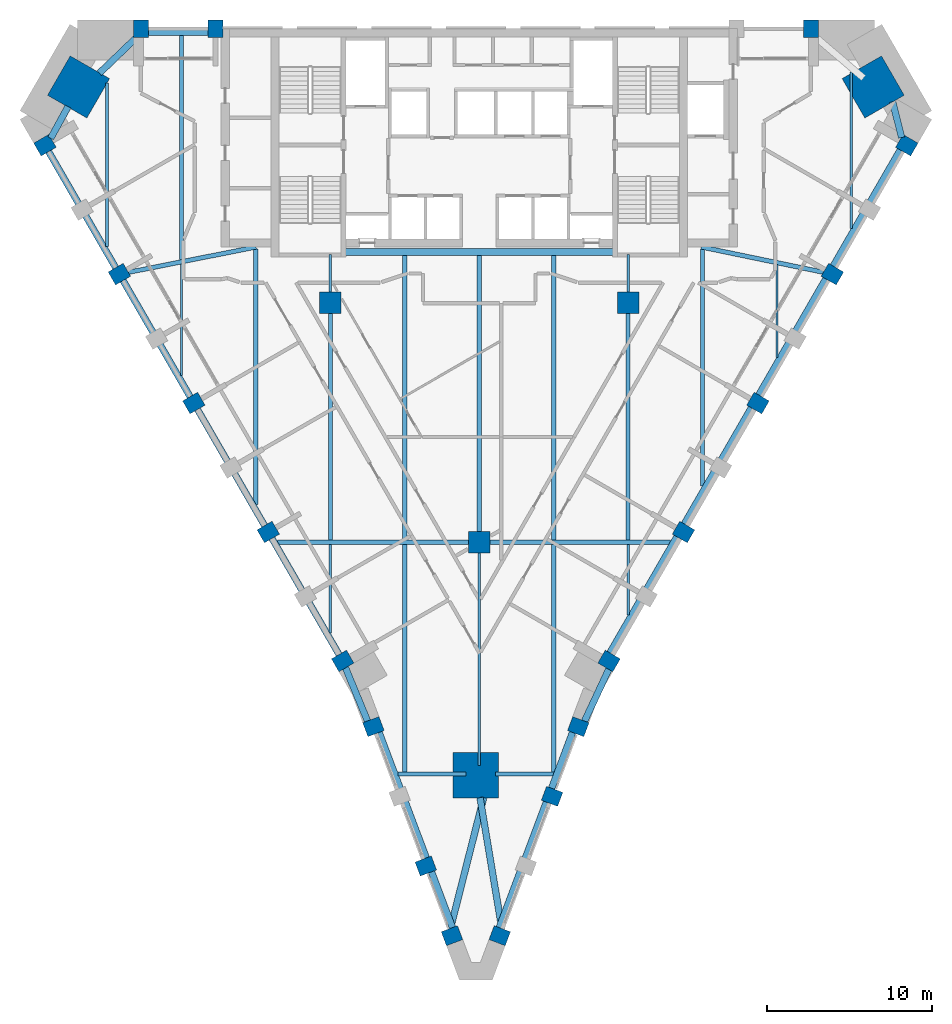
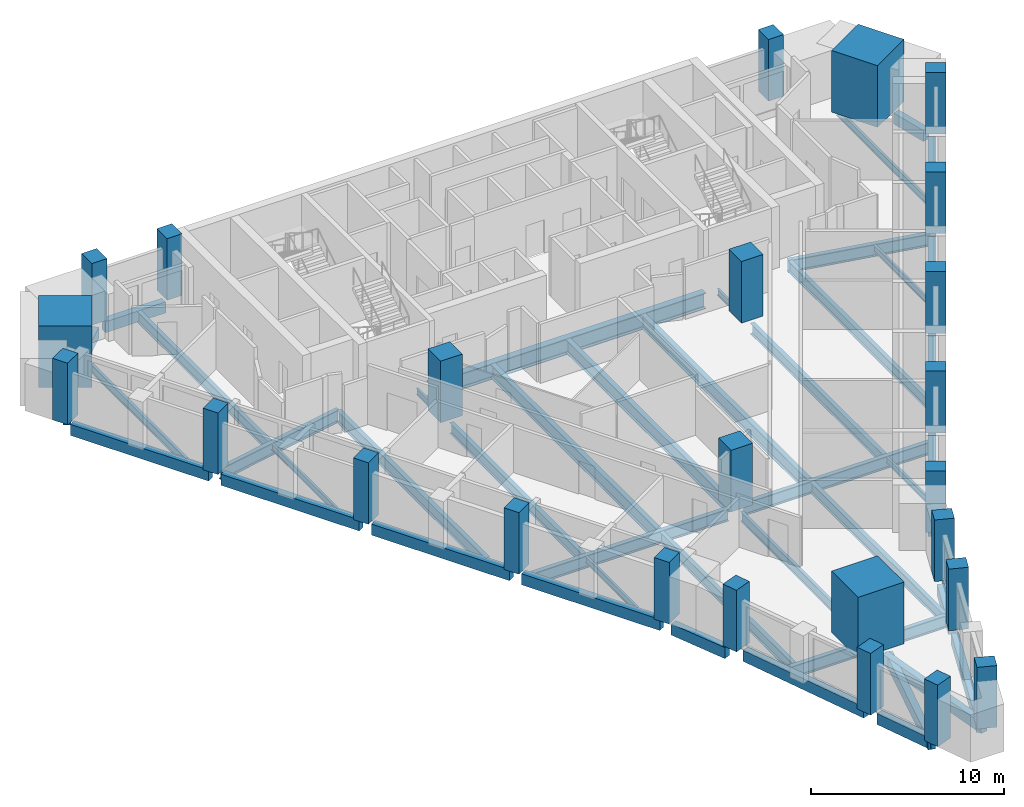
# One storey, part 1 of 10: 46 beams, 25 columns.
"""IFC4 building model written with IfcOpenShell, lengths in metres."""

from ifc_helpers import new_model, si_unit, direction, frame, origin, origin_2d, place, context, subcontext, project, spatial, rectangle, i_section, extrude, material, material_profile, profile_set, type_object, element, save


model = new_model("IFC4")

# Units and contexts
model_context = context("Model", 3, precision=1e-05, world=origin(), true_north=direction((0.0, 1.0)))
body_context = subcontext(model_context, "Body", "Model", "MODEL_VIEW")
ifc_project = project(units=[si_unit("LENGTHUNIT", "METRE"), si_unit("AREAUNIT", "SQUARE_METRE"), si_unit("VOLUMEUNIT", "CUBIC_METRE"), si_unit("PLANEANGLEUNIT", "RADIAN"), si_unit("MASSUNIT", "GRAM", prefix="KILO")], contexts=[model_context])

# Site, building, storey
site_placement = place(None, origin())
site = spatial("IfcSite", under=ifc_project, at=site_placement, CompositionType="ELEMENT")
building_placement = place(site_placement, origin())
building = spatial("IfcBuilding", under=site, at=building_placement, Name="Calabash Gate Tower", CompositionType="ELEMENT")
storey_placement = place(building_placement, frame((0.0, 0.0, 148.5)))
storey = spatial("IfcBuildingStorey", under=building, at=storey_placement, Name="L34", CompositionType="ELEMENT", Elevation=148.5)

# Columns
ifc_material_1 = material(Name="Concrete C70/85", Category="concrete")
ifc_material_profile_1 = material_profile(ifc_material_1, rectangle(XDim=1.300048828125, YDim=1.300048828125, at=origin_2d()))
ifc_profile_set_1 = profile_set([ifc_material_profile_1], Name="Concrete C70/85")
column_type_1 = type_object("IfcColumnType", Name="Interior column RC 1300x1300 Concrete C70/85", PredefinedType="COLUMN", material=ifc_profile_set_1)
for number, where, z_axis, x_axis, name in (
    (1, (-9.0, 2.5, 0.0), (0.0, 0.0, 1.0), (1.0, 0.0, 0.0), "Interior column L34 I0"),
    (2, (9.0, 2.5, 0.0), (0.0, 0.0, 1.0), (1.0, 0.0, 0.0), "Interior column L34 I1"),
    (3, (0.0, -12.0, 0.0), (0.0, 0.0, 1.0), (1.0, 0.0, 0.0), "Interior column L34 I2"),
):
    element("IfcColumn", number, at=place(storey_placement, frame(where, z_axis=z_axis, x_axis=x_axis)), inside=storey, type_object=column_type_1, Name=name, PredefinedType="COLUMN", context=body_context, shape_type="SweptSolid", body=[
        extrude(rectangle(XDim=1.300048828125, YDim=1.300048828125, at=origin_2d()), origin(), (0.0, 0.0, 1.0), 3.89990234375),
    ])
ifc_material_2 = material(Name="Concrete C70/85", Category="concrete")
ifc_material_profile_2 = material_profile(ifc_material_2, rectangle(XDim=2.75, YDim=2.75, at=origin_2d()))
ifc_profile_set_2 = profile_set([ifc_material_profile_2], Name="Concrete C70/85")
column_type_2 = type_object("IfcColumnType", Name="Mega column RC 2750x2750 Concrete C70/85", PredefinedType="COLUMN", material=ifc_profile_set_2)
for number, where, z_axis, x_axis, name in (
    (4, (-24.221923828125, 15.531005859375, 0.0), (0.0, 0.0, 1.0), (0.866025386331, -0.50000003023, 0.0), "Mega column L34 NW"),
    (5, (23.81201171875, 15.531005859375, 0.0), (0.0, 0.0, 1.0), (-0.866025386331, -0.50000003023, 0.0), "Mega column L34 NE"),
    (6, (-0.202880859375, -26.068115234375, 0.0), (0.0, 0.0, 1.0), (0.0, 1.0, 0.0), "Mega column L34 S"),
):
    element("IfcColumn", number, at=place(storey_placement, frame(where, z_axis=z_axis, x_axis=x_axis)), inside=storey, type_object=column_type_2, Name=name, PredefinedType="COLUMN", context=body_context, shape_type="SweptSolid", body=[
        extrude(rectangle(XDim=2.75, YDim=2.75, at=origin_2d()), origin(), (0.0, 0.0, 1.0), 3.89990234375),
    ])
ifc_material_3 = material(Name="Concrete C60/75", Category="concrete")
ifc_material_profile_3 = material_profile(ifc_material_3, rectangle(XDim=0.89990234375, YDim=1.050048828125, at=origin_2d()))
ifc_profile_set_3 = profile_set([ifc_material_profile_3], Name="Concrete C60/75")
column_type_3 = type_object("IfcColumnType", Name="Perimeter column RC 900x1050 Concrete C60/75", PredefinedType="COLUMN", material=ifc_profile_set_3)
for number, where, z_axis, x_axis, name in (
    (7, (-26.2529296875, 12.010009765625, 0.0), (0.0, 0.0, 1.0), (0.499999984885, -0.866025412511, 0.0), "Perimeter column L34 P20"),
    (8, (-21.7529296875, 4.216064453125, 0.0), (0.0, 0.0, 1.0), (0.499999984885, -0.866025412511, 0.0), "Perimeter column L34 P00"),
    (9, (-17.2529296875, -3.577880859375, 0.0), (0.0, 0.0, 1.0), (0.499999984885, -0.866025412511, 0.0), "Perimeter column L34 P01"),
    (10, (-12.7529296875, -11.373046875, 0.0), (0.0, 0.0, 1.0), (0.499999984885, -0.866025412511, 0.0), "Perimeter column L34 P02"),
    (11, (-8.2529296875, -19.1669921875, 0.0), (0.0, 0.0, 1.0), (0.499999984885, -0.866025412511, 0.0), "Perimeter column L34 P03"),
    (12, (-6.39599609375, -23.136962890625, 0.0), (0.0, 0.0, 1.0), (0.351822468316, -0.936066744836, 0.0), "Perimeter column L34 P25"),
    (13, (-3.22998046875, -31.56201171875, 0.0), (0.0, 0.0, 1.0), (0.351822468316, -0.936066744836, 0.0), "Perimeter column L34 P26"),
    (14, (-1.64697265625, -35.77392578125, 0.0), (0.0, 0.0, 1.0), (0.351822468316, -0.936066744836, 0.0), "Perimeter column L34 P27"),
    (15, (1.237060546875, -35.77392578125, 0.0), (0.0, 0.0, 1.0), (0.351822517328, 0.936066726415, 0.0), "Perimeter column L34 P28"),
    (16, (4.404052734375, -27.34912109375, 0.0), (0.0, 0.0, 1.0), (0.351822517328, 0.936066726415, 0.0), "Perimeter column L34 P08"),
    (17, (5.987060546875, -23.136962890625, 0.0), (0.0, 0.0, 1.0), (0.351822517328, 0.936066726415, 0.0), "Perimeter column L34 P29"),
    (18, (7.845947265625, -19.1669921875, 0.0), (0.0, 0.0, 1.0), (0.499999984885, 0.866025412511, 0.0), "Perimeter column L34 P09"),
    (19, (12.345947265625, -11.373046875, 0.0), (0.0, 0.0, 1.0), (0.499999984885, 0.866025412511, 0.0), "Perimeter column L34 P10"),
    (20, (16.845947265625, -3.577880859375, 0.0), (0.0, 0.0, 1.0), (0.499999984885, 0.866025412511, 0.0), "Perimeter column L34 P11"),
    (21, (21.345947265625, 4.216064453125, 0.0), (0.0, 0.0, 1.0), (0.499999984885, 0.866025412511, 0.0), "Perimeter column L34 P12"),
    (22, (25.845947265625, 12.010009765625, 0.0), (0.0, 0.0, 1.0), (0.499999984885, 0.866025412511, 0.0), "Perimeter column L34 P13"),
    (23, (20.047119140625, 19.052978515625, 0.0), (0.0, 0.0, 1.0), (-1.0, 0.0, 0.0), "Perimeter column L34 P24"),
    (24, (-15.952880859375, 19.052978515625, 0.0), (0.0, 0.0, 1.0), (-1.0, 0.0, 0.0), "Perimeter column L34 P30"),
    (25, (-20.452880859375, 19.052978515625, 0.0), (0.0, 0.0, 1.0), (-1.0, 0.0, 0.0), "Perimeter column L34 P17"),
):
    element("IfcColumn", number, at=place(storey_placement, frame(where, z_axis=z_axis, x_axis=x_axis)), inside=storey, type_object=column_type_3, Name=name, PredefinedType="COLUMN", context=body_context, shape_type="SweptSolid", body=[
        extrude(rectangle(XDim=0.89990234375, YDim=1.050048828125, at=origin_2d()), origin(), (0.0, 0.0, 1.0), 3.89990234375),
    ])

# Beams
ifc_material_4 = material(Name="Concrete C50/60", Category="concrete")
ifc_material_profile_4 = material_profile(ifc_material_4, rectangle(XDim=0.39990234375, YDim=0.699951171875, at=origin_2d()))
ifc_profile_set_4 = profile_set([ifc_material_profile_4], Name="Concrete C50/60")
beam_type_1 = type_object("IfcBeamType", Name="Edge beam RC 400x700 Concrete C50/60", PredefinedType="BEAM", material=ifc_profile_set_4)
beam_1_placement = place(storey_placement, frame((-17.0390625, -3.951904296875, -0.52001953125), z_axis=(0.500047870268, -0.865997764108, 0.0), x_axis=(0.865997764108, 0.500047870268, 0.0)))
element("IfcBeam", 26, at=beam_1_placement, inside=storey, type_object=beam_type_1, Name="Edge beam L34 1", PredefinedType="BEAM", context=body_context, shape_type="SweptSolid", body=[
    extrude(rectangle(XDim=0.39990234375, YDim=0.699951171875, at=origin_2d()), origin(), (0.0, 0.0, 1.0), 8.269287109375),
])
beam_2_placement = place(storey_placement, frame((-12.5390625, -11.74609375, -0.52001953125), z_axis=(0.499958388054, -0.86604942712, 0.0), x_axis=(0.86604942712, 0.499958388054, 0.0)))
element("IfcBeam", 27, at=beam_2_placement, inside=storey, type_object=beam_type_1, Name="Edge beam L34 2", PredefinedType="BEAM", context=body_context, shape_type="SweptSolid", body=[
    extrude(rectangle(XDim=0.39990234375, YDim=0.699951171875, at=origin_2d()), origin(), (0.0, 0.0, 1.0), 8.270751953125),
])
beam_3_placement = place(storey_placement, frame((-8.0869140625, -19.570068359375, -0.52001953125), z_axis=(0.381950141161, -0.924182930846, 0.0), x_axis=(0.924182930846, 0.381950141161, 0.0)))
element("IfcBeam", 28, at=beam_3_placement, inside=storey, type_object=beam_type_1, Name="Edge beam L34 3", PredefinedType="BEAM", context=body_context, shape_type="SweptSolid", body=[
    extrude(rectangle(XDim=0.39990234375, YDim=0.699951171875, at=origin_2d()), origin(), (0.0, 0.0, 1.0), 3.5078125),
])
beam_4_placement = place(storey_placement, frame((-6.051025390625, -23.488037109375, -0.52001953125), z_axis=(0.351863225674, -0.936051425093, 0.0), x_axis=(0.936051425093, 0.351863225674, 0.0)))
element("IfcBeam", 29, at=beam_4_placement, inside=storey, type_object=beam_type_1, Name="Edge beam L34 4", PredefinedType="BEAM", context=body_context, shape_type="SweptSolid", body=[
    extrude(rectangle(XDim=0.39990234375, YDim=0.699951171875, at=origin_2d()), origin(), (0.0, 0.0, 1.0), 8.10009765625),
])
beam_5_placement = place(storey_placement, frame((-2.884033203125, -31.9130859375, -0.52001953125), z_axis=(0.351799855959, -0.936075243422, 0.0), x_axis=(0.936075243422, 0.351799855959, 0.0)))
element("IfcBeam", 30, at=beam_5_placement, inside=storey, type_object=beam_type_1, Name="Edge beam L34 5", PredefinedType="BEAM", context=body_context, shape_type="SweptSolid", body=[
    extrude(rectangle(XDim=0.39990234375, YDim=0.699951171875, at=origin_2d()), origin(), (0.0, 0.0, 1.0), 3.598876953125),
])
beam_6_placement = place(storey_placement, frame((-1.743896484375, -35.34912109375, -0.52001953125), z_axis=(0.24595570579, 0.969281069035, 0.0), x_axis=(-0.969281069035, 0.24595570579, 0.0)))
element("IfcBeam", 31, at=beam_6_placement, inside=storey, type_object=beam_type_1, Name="Edge beam L34 6", PredefinedType="BEAM", context=body_context, shape_type="SweptSolid", body=[
    extrude(rectangle(XDim=0.39990234375, YDim=0.699951171875, at=origin_2d()), origin(), (0.0, 0.0, 1.0), 8.17626953125),
])
beam_7_placement = place(storey_placement, frame((0.048095703125, -27.427978515625, -0.52001953125), z_axis=(0.164438353373, -0.986387362013, 0.0), x_axis=(0.986387362013, 0.164438353373, 0.0)))
element("IfcBeam", 32, at=beam_7_placement, inside=storey, type_object=beam_type_1, Name="Edge beam L34 7", PredefinedType="BEAM", context=body_context, shape_type="SweptSolid", body=[
    extrude(rectangle(XDim=0.39990234375, YDim=0.699951171875, at=origin_2d()), origin(), (0.0, 0.0, 1.0), 8.045654296875),
])
beam_8_placement = place(storey_placement, frame((1.2080078125, -35.281982421875, -0.52001953125), z_axis=(0.351863225674, 0.936051425093, 0.0), x_axis=(-0.936051425093, 0.351863225674, 0.0)))
element("IfcBeam", 33, at=beam_8_placement, inside=storey, type_object=beam_type_1, Name="Edge beam L34 8", PredefinedType="BEAM", context=body_context, shape_type="SweptSolid", body=[
    extrude(rectangle(XDim=0.39990234375, YDim=0.699951171875, at=origin_2d()), origin(), (0.0, 0.0, 1.0), 8.10009765625),
])
beam_9_placement = place(storey_placement, frame((4.376953125, -26.85791015625, -0.52001953125), z_axis=(0.351234944025, 0.936287356582, 0.0), x_axis=(-0.936287356582, 0.351234944025, 0.0)))
element("IfcBeam", 34, at=beam_9_placement, inside=storey, type_object=beam_type_1, Name="Edge beam L34 9", PredefinedType="BEAM", context=body_context, shape_type="SweptSolid", body=[
    extrude(rectangle(XDim=0.39990234375, YDim=0.699951171875, at=origin_2d()), origin(), (0.0, 0.0, 1.0), 3.59912109375),
])
beam_10_placement = place(storey_placement, frame((6.361083984375, -22.81005859375, -0.52001953125), z_axis=(0.423673949239, 0.905814762927, 0.0), x_axis=(-0.905814762927, 0.423673949239, 0.0)))
element("IfcBeam", 35, at=beam_10_placement, inside=storey, type_object=beam_type_1, Name="Edge beam L34 10", PredefinedType="BEAM", context=body_context, shape_type="SweptSolid", body=[
    extrude(rectangle(XDim=0.39990234375, YDim=0.699951171875, at=origin_2d()), origin(), (0.0, 0.0, 1.0), 3.47412109375),
])
beam_11_placement = place(storey_placement, frame((7.89697265625, -18.677001953125, -0.52001953125), z_axis=(0.499999880539, 0.866025472755, 0.0), x_axis=(-0.866025472755, 0.499999880539, 0.0)))
element("IfcBeam", 36, at=beam_11_placement, inside=storey, type_object=beam_type_1, Name="Edge beam L34 11", PredefinedType="BEAM", context=body_context, shape_type="SweptSolid", body=[
    extrude(rectangle(XDim=0.39990234375, YDim=0.699951171875, at=origin_2d()), origin(), (0.0, 0.0, 1.0), 8.10009765625),
])
for number, where, z_axis, x_axis, name in (
    (37, (12.39697265625, -10.883056640625, -0.52001953125), (0.499986829629, 0.866033007568, 0.0), (-0.866033007568, 0.499986829629, 0.0), "Edge beam L34 12"),
    (38, (16.89697265625, -3.089111328125, -0.52001953125), (0.499986829629, 0.866033007568, 0.0), (-0.866033007568, 0.499986829629, 0.0), "Edge beam L34 13"),
):
    element("IfcBeam", number, at=place(storey_placement, frame(where, z_axis=z_axis, x_axis=x_axis)), inside=storey, type_object=beam_type_1, Name=name, PredefinedType="BEAM", context=body_context, shape_type="SweptSolid", body=[
        extrude(rectangle(XDim=0.39990234375, YDim=0.699951171875, at=origin_2d()), origin(), (0.0, 0.0, 1.0), 8.100341796875),
    ])
beam_12_placement = place(storey_placement, frame((21.39697265625, 4.7060546875, -0.52001953125), z_axis=(0.50005208986, 0.865995327601, 0.0), x_axis=(-0.865995327601, 0.50005208986, 0.0)))
element("IfcBeam", 39, at=beam_12_placement, inside=storey, type_object=beam_type_1, Name="Edge beam L34 14", PredefinedType="BEAM", context=body_context, shape_type="SweptSolid", body=[
    extrude(rectangle(XDim=0.39990234375, YDim=0.699951171875, at=origin_2d()), origin(), (0.0, 0.0, 1.0), 8.099365234375),
])
beam_13_placement = place(storey_placement, frame((25.531005859375, 12.471923828125, -0.52001953125), z_axis=(-0.243049873382, 0.970013793226, 0.0), x_axis=(-0.970013793226, -0.243049873382, 0.0)))
element("IfcBeam", 40, at=beam_13_placement, inside=storey, type_object=beam_type_1, Name="Edge beam L34 15", PredefinedType="BEAM", context=body_context, shape_type="SweptSolid", body=[
    extrude(rectangle(XDim=0.39990234375, YDim=0.699951171875, at=origin_2d()), origin(), (0.0, 0.0, 1.0), 2.23388671875),
])
beam_14_placement = place(storey_placement, frame((-16.403076171875, 18.85302734375, -0.52001953125), z_axis=(-1.0, 0.0, 0.0), x_axis=(0.0, -1.0, 0.0)))
element("IfcBeam", 41, at=beam_14_placement, inside=storey, type_object=beam_type_1, Name="Edge beam L34 17", PredefinedType="BEAM", context=body_context, shape_type="SweptSolid", body=[
    extrude(rectangle(XDim=0.39990234375, YDim=0.699951171875, at=origin_2d()), origin(), (0.0, 0.0, 1.0), 3.599853515625),
])
beam_15_placement = place(storey_placement, frame((-20.696044921875, 18.54296875, -0.52001953125), z_axis=(-0.720809229567, -0.693133504147, 0.0), x_axis=(0.693133504147, -0.720809229567, 0.0)))
element("IfcBeam", 42, at=beam_15_placement, inside=storey, type_object=beam_type_1, Name="Edge beam L34 18", PredefinedType="BEAM", context=body_context, shape_type="SweptSolid", body=[
    extrude(rectangle(XDim=0.39990234375, YDim=0.699951171875, at=origin_2d()), origin(), (0.0, 0.0, 1.0), 3.149169921875),
])
beam_16_placement = place(storey_placement, frame((-24.85400390625, 14.346923828125, -0.52001953125), z_axis=(-0.479500925929, -0.877541373402, 0.0), x_axis=(0.877541373402, -0.479500925929, 0.0)))
element("IfcBeam", 43, at=beam_16_placement, inside=storey, type_object=beam_type_1, Name="Edge beam L34 19", PredefinedType="BEAM", context=body_context, shape_type="SweptSolid", body=[
    extrude(rectangle(XDim=0.39990234375, YDim=0.699951171875, at=origin_2d()), origin(), (0.0, 0.0, 1.0), 2.187744140625),
])
beam_17_placement = place(storey_placement, frame((-26.0390625, 11.635986328125, -0.52001953125), z_axis=(0.50000951748, -0.866019908795, 0.0), x_axis=(0.866019908795, 0.50000951748, 0.0)))
element("IfcBeam", 44, at=beam_17_placement, inside=storey, type_object=beam_type_1, Name="Edge beam L34 20", PredefinedType="BEAM", context=body_context, shape_type="SweptSolid", body=[
    extrude(rectangle(XDim=0.39990234375, YDim=0.699951171875, at=origin_2d()), origin(), (0.0, 0.0, 1.0), 8.269775390625),
])
beam_18_placement = place(storey_placement, frame((-21.5390625, 3.842041015625, -0.52001953125), z_axis=(0.499996734306, -0.866027289225, 0.0), x_axis=(0.866027289225, 0.499996734306, 0.0)))
element("IfcBeam", 45, at=beam_18_placement, inside=storey, type_object=beam_type_1, Name="Edge beam L34 21", PredefinedType="BEAM", context=body_context, shape_type="SweptSolid", body=[
    extrude(rectangle(XDim=0.39990234375, YDim=0.699951171875, at=origin_2d()), origin(), (0.0, 0.0, 1.0), 8.27001953125),
])
ifc_material_5 = material(Name="Steel ASTM A992 Gr50", Category="steel")
ifc_material_profile_5 = material_profile(ifc_material_5, i_section(OverallWidth=0.1396484375, OverallDepth=0.398681640625, WebThickness=0.00634765625, FlangeThickness=0.0087890625, FilletRadius=0.01025390625, at=origin_2d()))
ifc_profile_set_5 = profile_set([ifc_material_profile_5], Name="Steel ASTM A992 Gr50")
beam_type_2 = type_object("IfcBeamType", Name="Floor beam W16x26 ASTM A992 Gr50", PredefinedType="BEAM", material=ifc_profile_set_5)
beam_19_placement = place(storey_placement, frame((-18.0, -1.89990234375, -0.368896484375), z_axis=(0.0, 1.0, 0.0), x_axis=(-1.0, 0.0, 0.0)))
element("IfcBeam", 46, at=beam_19_placement, inside=storey, type_object=beam_type_2, Name="Floor beam L34 2", PredefinedType="BEAM", context=body_context, shape_type="SweptSolid", body=[
    extrude(i_section(OverallWidth=0.1396484375, OverallDepth=0.398681640625, WebThickness=0.00634765625, FlangeThickness=0.0087890625, FilletRadius=0.01025390625, at=origin_2d()), origin(), (0.0, 0.0, 1.0), 6.73681640625),
])
beam_20_placement = place(storey_placement, frame((-9.0, -17.488037109375, -0.368896484375), z_axis=(0.0, 1.0, 0.0), x_axis=(-1.0, 0.0, 0.0)))
element("IfcBeam", 47, at=beam_20_placement, inside=storey, type_object=beam_type_2, Name="Floor beam L34 5", PredefinedType="BEAM", context=body_context, shape_type="SweptSolid", body=[
    extrude(i_section(OverallWidth=0.1396484375, OverallDepth=0.398681640625, WebThickness=0.00634765625, FlangeThickness=0.0087890625, FilletRadius=0.01025390625, at=origin_2d()), origin(), (0.0, 0.0, 1.0), 5.35498046875),
])
beam_21_placement = place(storey_placement, frame((-9.0, 3.14990234375, -0.368896484375), z_axis=(0.0, 1.0, 0.0), x_axis=(-1.0, 0.0, 0.0)))
element("IfcBeam", 48, at=beam_21_placement, inside=storey, type_object=beam_type_2, Name="Floor beam L34 7", PredefinedType="BEAM", context=body_context, shape_type="SweptSolid", body=[
    extrude(i_section(OverallWidth=0.1396484375, OverallDepth=0.398681640625, WebThickness=0.00634765625, FlangeThickness=0.0087890625, FilletRadius=0.01025390625, at=origin_2d()), origin(), (0.0, 0.0, 1.0), 2.253173828125),
])
beam_22_placement = place(storey_placement, frame((9.0, -16.37890625, -0.368896484375), z_axis=(0.0, 1.0, 0.0), x_axis=(-1.0, 0.0, 0.0)))
element("IfcBeam", 49, at=beam_22_placement, inside=storey, type_object=beam_type_2, Name="Floor beam L34 14", PredefinedType="BEAM", context=body_context, shape_type="SweptSolid", body=[
    extrude(i_section(OverallWidth=0.1396484375, OverallDepth=0.398681640625, WebThickness=0.00634765625, FlangeThickness=0.0087890625, FilletRadius=0.01025390625, at=origin_2d()), origin(), (0.0, 0.0, 1.0), 4.245849609375),
])
beam_23_placement = place(storey_placement, frame((9.0, 3.14990234375, -0.368896484375), z_axis=(0.0, 1.0, 0.0), x_axis=(-1.0, 0.0, 0.0)))
element("IfcBeam", 50, at=beam_23_placement, inside=storey, type_object=beam_type_2, Name="Floor beam L34 16", PredefinedType="BEAM", context=body_context, shape_type="SweptSolid", body=[
    extrude(i_section(OverallWidth=0.1396484375, OverallDepth=0.398681640625, WebThickness=0.00634765625, FlangeThickness=0.0087890625, FilletRadius=0.01025390625, at=origin_2d()), origin(), (0.0, 0.0, 1.0), 2.253173828125),
])
beam_24_placement = place(storey_placement, frame((18.0, -0.81103515625, -0.368896484375), z_axis=(0.0, 1.0, 0.0), x_axis=(-1.0, 0.0, 0.0)))
element("IfcBeam", 51, at=beam_24_placement, inside=storey, type_object=beam_type_2, Name="Floor beam L34 18", PredefinedType="BEAM", context=body_context, shape_type="SweptSolid", body=[
    extrude(i_section(OverallWidth=0.1396484375, OverallDepth=0.398681640625, WebThickness=0.00634765625, FlangeThickness=0.0087890625, FilletRadius=0.01025390625, at=origin_2d()), origin(), (0.0, 0.0, 1.0), 5.59814453125),
])
ifc_material_6 = material(Name="Steel ASTM A992 Gr50", Category="steel")
ifc_material_profile_6 = material_profile(ifc_material_6, i_section(OverallWidth=0.15234375, OverallDepth=0.44970703125, WebThickness=0.007568359375, FlangeThickness=0.0107421875, FilletRadius=0.01025390625, at=origin_2d()))
ifc_profile_set_6 = profile_set([ifc_material_profile_6], Name="Steel ASTM A992 Gr50")
beam_type_3 = type_object("IfcBeamType", Name="Floor beam W18x35 ASTM A992 Gr50", PredefinedType="BEAM", material=ifc_profile_set_6)
beam_25_placement = place(storey_placement, frame((22.5, 6.98291015625, -0.39306640625), z_axis=(0.0, 1.0, 0.0), x_axis=(-1.0, 0.0, 0.0)))
element("IfcBeam", 52, at=beam_25_placement, inside=storey, type_object=beam_type_3, Name="Floor beam L34 19", PredefinedType="BEAM", context=body_context, shape_type="SweptSolid", body=[
    extrude(i_section(OverallWidth=0.15234375, OverallDepth=0.44970703125, WebThickness=0.007568359375, FlangeThickness=0.0107421875, FilletRadius=0.01025390625, at=origin_2d()), origin(), (0.0, 0.0, 1.0), 9.463134765625),
])
ifc_material_7 = material(Name="Steel ASTM A992 Gr50", Category="steel")
ifc_material_profile_7 = material_profile(ifc_material_7, i_section(OverallWidth=0.166015625, OverallDepth=0.5283203125, WebThickness=0.009765625, FlangeThickness=0.013671875, FilletRadius=0.0126953125, at=origin_2d()))
ifc_profile_set_7 = profile_set([ifc_material_profile_7], Name="Steel ASTM A992 Gr50")
beam_type_4 = type_object("IfcBeamType", Name="Floor beam W21x50 ASTM A992 Gr50", PredefinedType="BEAM", material=ifc_profile_set_7)
beam_26_placement = place(storey_placement, frame((-22.5, 5.8740234375, -0.43408203125), z_axis=(0.0, 1.0, 0.0), x_axis=(-1.0, 0.0, 0.0)))
element("IfcBeam", 53, at=beam_26_placement, inside=storey, type_object=beam_type_4, Name="Floor beam L34 1", PredefinedType="BEAM", context=body_context, shape_type="SweptSolid", body=[
    extrude(i_section(OverallWidth=0.166015625, OverallDepth=0.5283203125, WebThickness=0.009765625, FlangeThickness=0.013671875, FilletRadius=0.0126953125, at=origin_2d()), origin(), (0.0, 0.0, 1.0), 9.903076171875),
])
ifc_material_8 = material(Name="Steel ASTM A992 Gr50", Category="steel")
ifc_material_profile_8 = material_profile(ifc_material_8, i_section(OverallWidth=0.1787109375, OverallDepth=0.60205078125, WebThickness=0.010986328125, FlangeThickness=0.014892578125, FilletRadius=0.0126953125, at=origin_2d()))
ifc_profile_set_8 = profile_set([ifc_material_profile_8], Name="Steel ASTM A992 Gr50")
beam_type_5 = type_object("IfcBeamType", Name="Floor beam W24x62 ASTM A992 Gr50", PredefinedType="BEAM", material=ifc_profile_set_8)
beam_27_placement = place(storey_placement, frame((0.0, -25.48291015625, -0.470947265625), z_axis=(0.0, 1.0, 0.0), x_axis=(-1.0, 0.0, 0.0)))
element("IfcBeam", 54, at=beam_27_placement, inside=storey, type_object=beam_type_5, Name="Floor beam L34 10", PredefinedType="BEAM", context=body_context, shape_type="SweptSolid", body=[
    extrude(i_section(OverallWidth=0.1787109375, OverallDepth=0.60205078125, WebThickness=0.010986328125, FlangeThickness=0.014892578125, FilletRadius=0.0126953125, at=origin_2d()), origin(), (0.0, 0.0, 1.0), 12.8330078125),
])
ifc_material_9 = material(Name="Steel ASTM A992 Gr50", Category="steel")
ifc_material_profile_9 = material_profile(ifc_material_9, i_section(OverallWidth=0.25390625, OverallDepth=0.67822265625, WebThickness=0.01171875, FlangeThickness=0.016357421875, FilletRadius=0.01513671875, at=origin_2d()))
ifc_profile_set_9 = profile_set([ifc_material_profile_9], Name="Steel ASTM A992 Gr50")
beam_type_6 = type_object("IfcBeamType", Name="Floor beam W27x84 ASTM A992 Gr50", PredefinedType="BEAM", material=ifc_profile_set_9)
beam_28_placement = place(storey_placement, frame((-18.0, 5.0869140625, -0.509033203125), z_axis=(0.0, 1.0, 0.0), x_axis=(-1.0, 0.0, 0.0)))
element("IfcBeam", 55, at=beam_28_placement, inside=storey, type_object=beam_type_6, Name="Floor beam L34 3", PredefinedType="BEAM", context=body_context, shape_type="SweptSolid", body=[
    extrude(i_section(OverallWidth=0.25390625, OverallDepth=0.67822265625, WebThickness=0.01171875, FlangeThickness=0.016357421875, FilletRadius=0.01513671875, at=origin_2d()), origin(), (0.0, 0.0, 1.0), 13.566162109375),
])
beam_29_placement = place(storey_placement, frame((-9.0, -11.866943359375, -0.509033203125), z_axis=(0.0, 1.0, 0.0), x_axis=(-1.0, 0.0, 0.0)))
element("IfcBeam", 56, at=beam_29_placement, inside=storey, type_object=beam_type_6, Name="Floor beam L34 6", PredefinedType="BEAM", context=body_context, shape_type="SweptSolid", body=[
    extrude(i_section(OverallWidth=0.25390625, OverallDepth=0.67822265625, WebThickness=0.01171875, FlangeThickness=0.016357421875, FilletRadius=0.01513671875, at=origin_2d()), origin(), (0.0, 0.0, 1.0), 13.717041015625),
])
beam_30_placement = place(storey_placement, frame((-4.5, -25.866943359375, -0.509033203125), z_axis=(0.0, 1.0, 0.0), x_axis=(-1.0, 0.0, 0.0)))
element("IfcBeam", 57, at=beam_30_placement, inside=storey, type_object=beam_type_6, Name="Floor beam L34 8", PredefinedType="BEAM", context=body_context, shape_type="SweptSolid", body=[
    extrude(i_section(OverallWidth=0.25390625, OverallDepth=0.67822265625, WebThickness=0.01171875, FlangeThickness=0.016357421875, FilletRadius=0.01513671875, at=origin_2d()), origin(), (0.0, 0.0, 1.0), 13.73388671875),
])
beam_31_placement = place(storey_placement, frame((4.5, -25.89892578125, -0.509033203125), z_axis=(0.0, 1.0, 0.0), x_axis=(-1.0, 0.0, 0.0)))
element("IfcBeam", 58, at=beam_31_placement, inside=storey, type_object=beam_type_6, Name="Floor beam L34 12", PredefinedType="BEAM", context=body_context, shape_type="SweptSolid", body=[
    extrude(i_section(OverallWidth=0.25390625, OverallDepth=0.67822265625, WebThickness=0.01171875, FlangeThickness=0.016357421875, FilletRadius=0.01513671875, at=origin_2d()), origin(), (0.0, 0.0, 1.0), 13.765869140625),
])
beam_32_placement = place(storey_placement, frame((9.0, -11.866943359375, -0.509033203125), z_axis=(0.0, 1.0, 0.0), x_axis=(-1.0, 0.0, 0.0)))
element("IfcBeam", 59, at=beam_32_placement, inside=storey, type_object=beam_type_6, Name="Floor beam L34 15", PredefinedType="BEAM", context=body_context, shape_type="SweptSolid", body=[
    extrude(i_section(OverallWidth=0.25390625, OverallDepth=0.67822265625, WebThickness=0.01171875, FlangeThickness=0.016357421875, FilletRadius=0.01513671875, at=origin_2d()), origin(), (0.0, 0.0, 1.0), 13.717041015625),
])
beam_33_placement = place(storey_placement, frame((13.5, -8.60302734375, -0.509033203125), z_axis=(0.0, 1.0, 0.0), x_axis=(-1.0, 0.0, 0.0)))
element("IfcBeam", 60, at=beam_33_placement, inside=storey, type_object=beam_type_6, Name="Floor beam L34 17", PredefinedType="BEAM", context=body_context, shape_type="SweptSolid", body=[
    extrude(i_section(OverallWidth=0.25390625, OverallDepth=0.67822265625, WebThickness=0.01171875, FlangeThickness=0.016357421875, FilletRadius=0.01513671875, at=origin_2d()), origin(), (0.0, 0.0, 1.0), 14.341064453125),
])
ifc_material_10 = material(Name="Steel ASTM A992 Gr50", Category="steel")
ifc_material_profile_10 = material_profile(ifc_material_10, i_section(OverallWidth=0.2666015625, OverallDepth=0.7568359375, WebThickness=0.013916015625, FlangeThickness=0.019287109375, FilletRadius=0.0166015625, at=origin_2d()))
ifc_profile_set_10 = profile_set([ifc_material_profile_10], Name="Steel ASTM A992 Gr50")
beam_type_7 = type_object("IfcBeamType", Name="Floor beam W30x108 ASTM A992 Gr50", PredefinedType="BEAM", material=ifc_profile_set_10)
beam_34_placement = place(storey_placement, frame((-13.5, -9.694091796875, -0.548095703125), z_axis=(0.0, 1.0, 0.0), x_axis=(-1.0, 0.0, 0.0)))
element("IfcBeam", 61, at=beam_34_placement, inside=storey, type_object=beam_type_7, Name="Floor beam L34 4", PredefinedType="BEAM", context=body_context, shape_type="SweptSolid", body=[
    extrude(i_section(OverallWidth=0.2666015625, OverallDepth=0.7568359375, WebThickness=0.013916015625, FlangeThickness=0.019287109375, FilletRadius=0.0166015625, at=origin_2d()), origin(), (0.0, 0.0, 1.0), 15.425048828125),
])
ifc_material_11 = material(Name="Steel ASTM A992 Gr50", Category="steel")
ifc_material_profile_11 = material_profile(ifc_material_11, i_section(OverallWidth=0.2919921875, OverallDepth=0.845703125, WebThickness=0.015380859375, FlangeThickness=0.0244140625, FilletRadius=0.017822265625, at=origin_2d()))
ifc_profile_set_11 = profile_set([ifc_material_profile_11], Name="Steel ASTM A992 Gr50")
beam_type_8 = type_object("IfcBeamType", Name="Floor beam W33x141 ASTM A992 Gr50", PredefinedType="BEAM", material=ifc_profile_set_11)
beam_35_placement = place(storey_placement, frame((-4.5, -11.866943359375, -0.593017578125), z_axis=(0.0, 1.0, 0.0), x_axis=(-1.0, 0.0, 0.0)))
element("IfcBeam", 62, at=beam_35_placement, inside=storey, type_object=beam_type_8, Name="Floor beam L34 9", PredefinedType="BEAM", context=body_context, shape_type="SweptSolid", body=[
    extrude(i_section(OverallWidth=0.2919921875, OverallDepth=0.845703125, WebThickness=0.015380859375, FlangeThickness=0.0244140625, FilletRadius=0.017822265625, at=origin_2d()), origin(), (0.0, 0.0, 1.0), 17.218994140625),
])
beam_36_placement = place(storey_placement, frame((0.0, -11.35009765625, -0.593017578125), z_axis=(0.0, 1.0, 0.0), x_axis=(-1.0, 0.0, 0.0)))
element("IfcBeam", 63, at=beam_36_placement, inside=storey, type_object=beam_type_8, Name="Floor beam L34 11", PredefinedType="BEAM", context=body_context, shape_type="SweptSolid", body=[
    extrude(i_section(OverallWidth=0.2919921875, OverallDepth=0.845703125, WebThickness=0.015380859375, FlangeThickness=0.0244140625, FilletRadius=0.017822265625, at=origin_2d()), origin(), (0.0, 0.0, 1.0), 16.7021484375),
])
beam_37_placement = place(storey_placement, frame((4.5, -11.866943359375, -0.593017578125), z_axis=(0.0, 1.0, 0.0), x_axis=(-1.0, 0.0, 0.0)))
element("IfcBeam", 64, at=beam_37_placement, inside=storey, type_object=beam_type_8, Name="Floor beam L34 13", PredefinedType="BEAM", context=body_context, shape_type="SweptSolid", body=[
    extrude(i_section(OverallWidth=0.2919921875, OverallDepth=0.845703125, WebThickness=0.015380859375, FlangeThickness=0.0244140625, FilletRadius=0.017822265625, at=origin_2d()), origin(), (0.0, 0.0, 1.0), 17.218994140625),
])
ifc_material_12 = material(Name="Steel ASTM A992 Gr50", Category="steel")
ifc_material_profile_12 = material_profile(ifc_material_12, i_section(OverallWidth=0.2666015625, OverallDepth=0.77978515625, WebThickness=0.0166015625, FlangeThickness=0.030029296875, FilletRadius=0.0166015625, at=origin_2d()))
ifc_profile_set_12 = profile_set([ifc_material_profile_12], Name="Steel ASTM A992 Gr50")
beam_type_9 = type_object("IfcBeamType", Name="Girder W30x148 ASTM A992 Gr50", PredefinedType="BEAM", material=ifc_profile_set_12)
beam_38_placement = place(storey_placement, frame((-21.409912109375, 4.283935546875, -0.56005859375), z_axis=(0.980846045759, 0.19478458491, 0.0), x_axis=(-0.19478458491, 0.980846045759, 0.0)))
element("IfcBeam", 65, at=beam_38_placement, inside=storey, type_object=beam_type_9, Name="Girder L34 2", PredefinedType="BEAM", context=body_context, shape_type="SweptSolid", body=[
    extrude(i_section(OverallWidth=0.2666015625, OverallDepth=0.77978515625, WebThickness=0.0166015625, FlangeThickness=0.030029296875, FilletRadius=0.0166015625, at=origin_2d()), origin(), (0.0, 0.0, 1.0), 8.07568359375),
])
beam_39_placement = place(storey_placement, frame((21.001953125, 4.287109375, -0.56005859375), z_axis=(-0.979199062706, 0.202901935909, 0.0), x_axis=(-0.202901935909, -0.979199062706, 0.0)))
element("IfcBeam", 66, at=beam_39_placement, inside=storey, type_object=beam_type_9, Name="Girder L34 3", PredefinedType="BEAM", context=body_context, shape_type="SweptSolid", body=[
    extrude(i_section(OverallWidth=0.2666015625, OverallDepth=0.77978515625, WebThickness=0.0166015625, FlangeThickness=0.030029296875, FilletRadius=0.0166015625, at=origin_2d()), origin(), (0.0, 0.0, 1.0), 7.73681640625),
])
beam_40_placement = place(storey_placement, frame((-12.18310546875, -12.0, -0.56005859375), z_axis=(1.0, 0.0, 0.0), x_axis=(0.0, 1.0, 0.0)))
element("IfcBeam", 67, at=beam_40_placement, inside=storey, type_object=beam_type_9, Name="Girder L34 4", PredefinedType="BEAM", context=body_context, shape_type="SweptSolid", body=[
    extrude(i_section(OverallWidth=0.2666015625, OverallDepth=0.77978515625, WebThickness=0.0166015625, FlangeThickness=0.030029296875, FilletRadius=0.0166015625, at=origin_2d()), origin(), (0.0, 0.0, 1.0), 11.713134765625),
])
beam_41_placement = place(storey_placement, frame((0.469970703125, -12.0, -0.56005859375), z_axis=(1.0, 0.0, 0.0), x_axis=(0.0, 1.0, 0.0)))
element("IfcBeam", 68, at=beam_41_placement, inside=storey, type_object=beam_type_9, Name="Girder L34 5", PredefinedType="BEAM", context=body_context, shape_type="SweptSolid", body=[
    extrude(i_section(OverallWidth=0.2666015625, OverallDepth=0.77978515625, WebThickness=0.0166015625, FlangeThickness=0.030029296875, FilletRadius=0.0166015625, at=origin_2d()), origin(), (0.0, 0.0, 1.0), 11.0830078125),
])
beam_42_placement = place(storey_placement, frame((-4.903076171875, -26.0, -0.56005859375), z_axis=(1.0, 0.0, 0.0), x_axis=(0.0, 1.0, 0.0)))
element("IfcBeam", 69, at=beam_42_placement, inside=storey, type_object=beam_type_9, Name="Girder L34 6", PredefinedType="BEAM", context=body_context, shape_type="SweptSolid", body=[
    extrude(i_section(OverallWidth=0.2666015625, OverallDepth=0.77978515625, WebThickness=0.0166015625, FlangeThickness=0.030029296875, FilletRadius=0.0166015625, at=origin_2d()), origin(), (0.0, 0.0, 1.0), 4.114990234375),
])
beam_43_placement = place(storey_placement, frame((0.97802734375, -26.0, -0.56005859375), z_axis=(1.0, 0.0, 0.0), x_axis=(0.0, 1.0, 0.0)))
element("IfcBeam", 70, at=beam_43_placement, inside=storey, type_object=beam_type_9, Name="Girder L34 7", PredefinedType="BEAM", context=body_context, shape_type="SweptSolid", body=[
    extrude(i_section(OverallWidth=0.2666015625, OverallDepth=0.77978515625, WebThickness=0.0166015625, FlangeThickness=0.030029296875, FilletRadius=0.0166015625, at=origin_2d()), origin(), (0.0, 0.0, 1.0), 3.5390625),
])
ifc_material_13 = material(Name="Steel ASTM A992 Gr50", Category="steel")
ifc_material_profile_13 = material_profile(ifc_material_13, i_section(OverallWidth=0.4013671875, OverallDepth=1.000732421875, WebThickness=0.01904296875, FlangeThickness=0.0361328125, FilletRadius=0.030029296875, at=origin_2d()))
ifc_profile_set_13 = profile_set([ifc_material_profile_13], Name="Steel ASTM A992 Gr50")
beam_type_10 = type_object("IfcBeamType", Name="Girder W40x249 ASTM A992 Gr50", PredefinedType="BEAM", material=ifc_profile_set_13)
beam_44_placement = place(storey_placement, frame((-8.25, 5.552978515625, -0.669921875), z_axis=(1.0, 0.0, 0.0), x_axis=(0.0, 1.0, 0.0)))
element("IfcBeam", 71, at=beam_44_placement, inside=storey, type_object=beam_type_10, Name="Girder L34 1", PredefinedType="BEAM", context=body_context, shape_type="SweptSolid", body=[
    extrude(i_section(OverallWidth=0.4013671875, OverallDepth=1.000732421875, WebThickness=0.01904296875, FlangeThickness=0.0361328125, FilletRadius=0.030029296875, at=origin_2d()), origin(), (0.0, 0.0, 1.0), 16.5),
])

save(model, "model.ifc")
